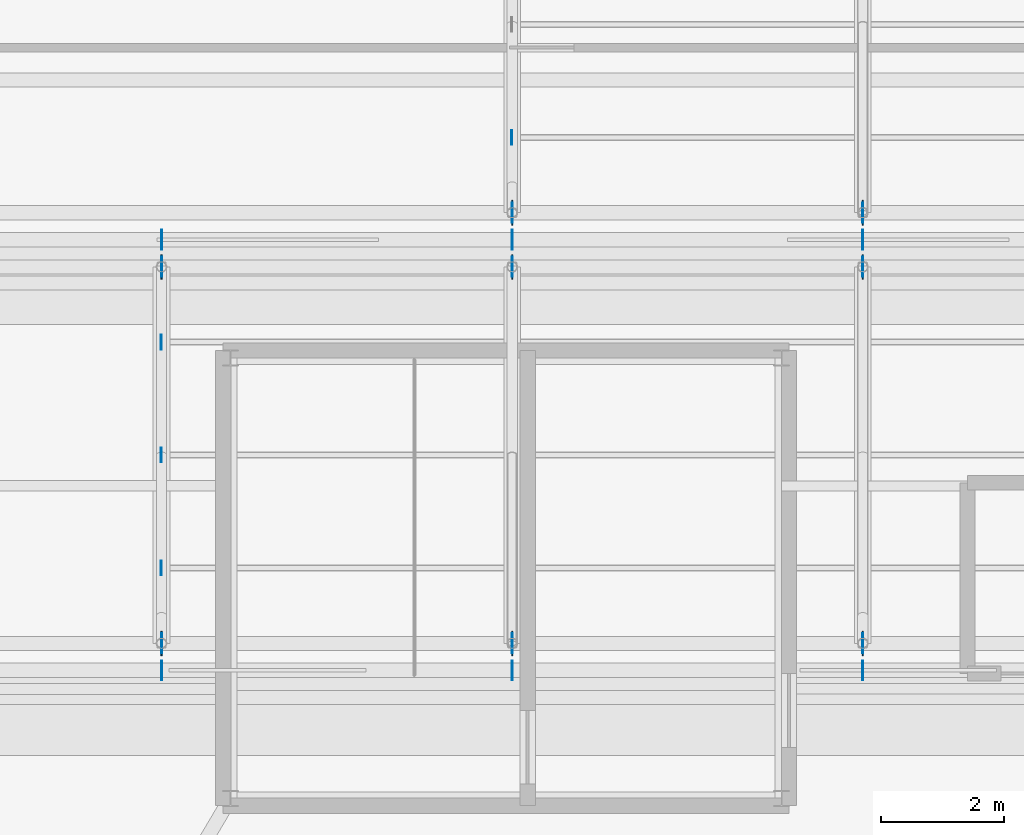
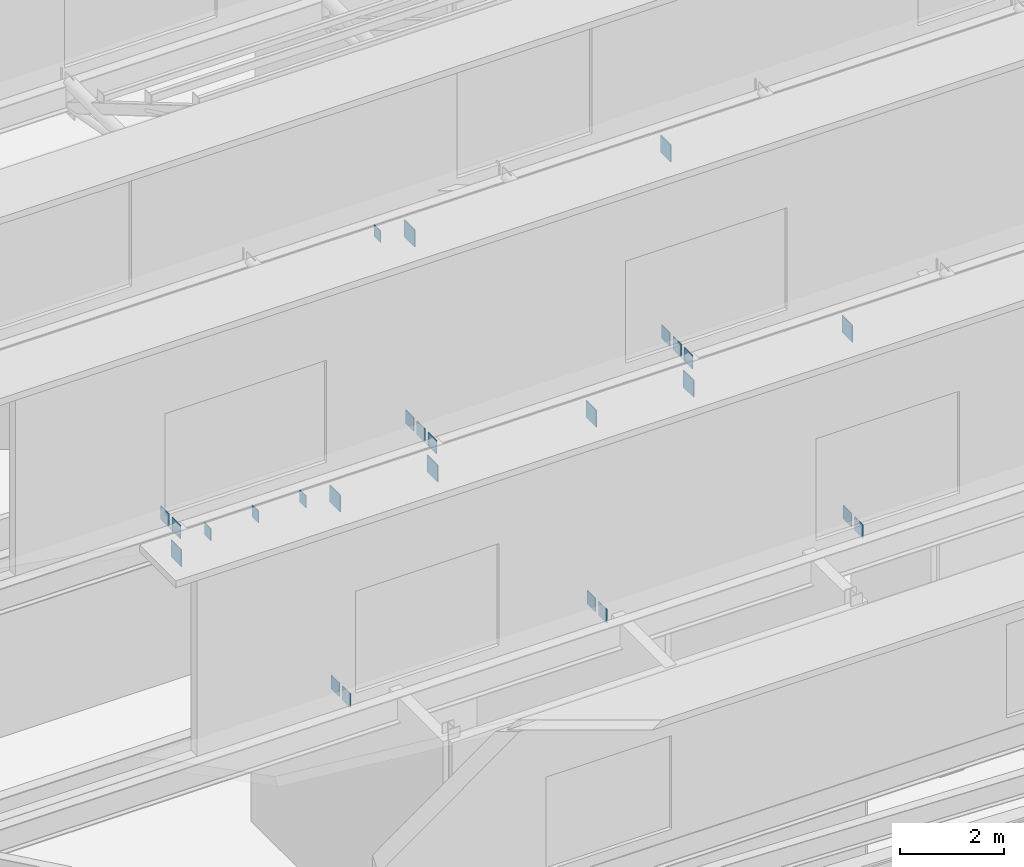
# One storey, part 45 of 55: 26 plates.
"""IFC4 building model written with IfcOpenShell, lengths in metres."""

import ifcopenshell
import ifcopenshell.guid

model = None  # the IFC model being written
_history = None  # IfcOwnerHistory: only IFC2X3 demands one
_inside = {}  # id of a spatial element -> (the spatial element, [elements in it])
_under = {}  # id of a project, library or spatial element -> (it, [spatial elements below it])
_declared = {}  # id of a project -> (the project, [libraries it declares])
_typed = {}  # id of a type object -> (the type object, [elements of that type])
_made_of = {}  # id of a material, layer set ... -> (it, [elements and type objects made of it])


def new_model(schema):
    """Start an empty IFC model of exactly this schema.

    Asked for "IFC4X3", IfcOpenShell would pick the latest addendum, in which some entities
    have other attributes; the version numbers below select the first issue.
    IFC2X3 requires an IfcOwnerHistory on every rooted entity: one is made here for all.
    """
    global model, _history
    if schema == "IFC4X3":
        model = ifcopenshell.file(schema_version=(4, 3, 0, 0))
    else:
        model = ifcopenshell.file(schema=schema)
    _inside.clear()
    _under.clear()
    _declared.clear()
    _typed.clear()
    _made_of.clear()
    _history = None
    if model.schema == "IFC2X3":
        org = make("IfcOrganization", Name="unknown")
        user = make(
            "IfcPersonAndOrganization",
            ThePerson=make("IfcPerson", FamilyName="unknown"),
            TheOrganization=org,
        )
        app = make(
            "IfcApplication",
            ApplicationDeveloper=org,
            Version="unknown",
            ApplicationFullName="unknown",
            ApplicationIdentifier="unknown",
        )
        _history = make(
            "IfcOwnerHistory",
            OwningUser=user,
            OwningApplication=app,
            ChangeAction="ADDED",
            CreationDate=0,
        )
    return model


def make(cls, **values):
    """One entity of the class cls with the attributes given. An attribute that is None is left unset."""
    return model.create_entity(
        cls, **{name: value for name, value in values.items() if value is not None}
    )


def rooted(cls, **values):
    """An entity with a GlobalId (a new one), such as an element, a storey or a relation."""
    return make(cls, GlobalId=ifcopenshell.guid.new(), OwnerHistory=_history, **values)


def si_unit(unit_type, name, prefix=None):
    """IfcSIUnit, for example si_unit("LENGTHUNIT", "METRE", prefix="MILLI")."""
    return make("IfcSIUnit", UnitType=unit_type, Prefix=prefix, Name=name)


def assignment(units):
    """IfcUnitAssignment: the units of a project."""
    return None if units is None else make("IfcUnitAssignment", Units=units)


def point(xyz):
    """IfcCartesianPoint."""
    return None if xyz is None else make("IfcCartesianPoint", Coordinates=xyz)


def direction(xyz):
    """IfcDirection."""
    return None if xyz is None else make("IfcDirection", DirectionRatios=xyz)


def frame(location, z_axis=None, x_axis=None):
    """IfcAxis2Placement3D, a coordinate frame: its origin and axes. An axis left out is left unset."""
    return make(
        "IfcAxis2Placement3D",
        Location=point(location),
        Axis=direction(z_axis),
        RefDirection=direction(x_axis),
    )


def frame_2d(location, x_axis=None):
    """IfcAxis2Placement2D, a coordinate frame in the plane: its origin and x axis."""
    return make(
        "IfcAxis2Placement2D", Location=point(location), RefDirection=direction(x_axis)
    )


def origin():
    """The frame at (0, 0, 0) with its axes left unset."""
    return frame((0.0, 0.0, 0.0))


def origin_2d():
    """The frame at (0, 0) in the plane with its x axis left unset."""
    return frame_2d((0.0, 0.0))


def place(relative_to, where):
    """IfcLocalPlacement: puts the frame where relative to a parent placement (None: the world)."""
    return make(
        "IfcLocalPlacement", PlacementRelTo=relative_to, RelativePlacement=where
    )


def context(
    kind, dimensions, precision=None, world=None, true_north=None, identifier=None
):
    """IfcGeometricRepresentationContext, for example the 3D "Model" context."""
    return make(
        "IfcGeometricRepresentationContext",
        ContextIdentifier=identifier,
        ContextType=kind,
        CoordinateSpaceDimension=dimensions,
        Precision=precision,
        WorldCoordinateSystem=world,
        TrueNorth=true_north,
    )


def subcontext(parent, identifier, kind, view, scale=None):
    """IfcGeometricRepresentationSubContext, for example "Body" below "Model"."""
    return make(
        "IfcGeometricRepresentationSubContext",
        ContextIdentifier=identifier,
        ContextType=kind,
        ParentContext=parent,
        TargetScale=scale,
        TargetView=view,
    )


def project(units=None, contexts=None):
    """IfcProject with its units and contexts."""
    return rooted(
        "IfcProject",
        Name="project",
        RepresentationContexts=contexts,
        UnitsInContext=assignment(units),
    )


def spatial(cls, under=None, at=None, **own):
    """A site, building, storey or space (cls), placed at a placement, below another one or the project."""
    s = rooted(cls, ObjectPlacement=at, **own)
    if under is not None:
        _under.setdefault(under.id(), (under, []))[1].append(s)
    return s


def profile(cls, at=None, kind="AREA", **sizes):
    """A parametric profile (cls). Its sizes go by their IFC names, for example OverallWidth=200.0."""
    return make(cls, ProfileType=kind, Position=at, **sizes)


def rectangle(**sizes):
    """IfcRectangleProfileDef."""
    return profile("IfcRectangleProfileDef", **sizes)


def extrude(swept, where, along, depth):
    """IfcExtrudedAreaSolid: the profile swept, set in the frame where, extruded along a direction by depth."""
    return make(
        "IfcExtrudedAreaSolid",
        SweptArea=swept,
        Position=where,
        ExtrudedDirection=direction(along),
        Depth=depth,
    )


def shape(context_of_items, identifier, shape_type, items):
    """IfcShapeRepresentation: the items that make up one representation, for example the "Body"."""
    return make(
        "IfcShapeRepresentation",
        ContextOfItems=context_of_items,
        RepresentationIdentifier=identifier,
        RepresentationType=shape_type,
        Items=items,
    )


def material(Name=None, Category=None):
    """IfcMaterial."""
    return make("IfcMaterial", Name=Name, Category=Category)


def layer(
    of_material, thickness, ventilated=None, Name=None, Category=None, Priority=None
):
    """IfcMaterialLayer: one layer of a wall or slab, of a material (None: an air gap)."""
    return make(
        "IfcMaterialLayer",
        Material=of_material,
        LayerThickness=thickness,
        IsVentilated=ventilated,
        Name=Name,
        Category=Category,
        Priority=Priority,
    )


def layer_set(layers, Name=None):
    """IfcMaterialLayerSet."""
    return make("IfcMaterialLayerSet", MaterialLayers=layers, LayerSetName=Name)


def made_of(thing, what):
    """Note that an element or type object is made of a material, layer set ...; save() writes the relation."""
    if what is not None:
        _made_of.setdefault(what.id(), (what, []))[1].append(thing)
    return thing


def type_object(cls, material=None, **own):
    """A type object (cls), such as IfcWallType, which elements share."""
    return made_of(rooted(cls, **own), material)


def element(
    cls,
    number,
    at=None,
    inside=None,
    cuts=None,
    type_object=None,
    material=None,
    context=None,
    identifier="Body",
    shape_type=None,
    held_by="IfcProductDefinitionShape",
    body=None,
    shapes=None,
    **own,
):
    """One element of the class cls, such as IfcWall. Its Tag is "e" and its number.

    at: its placement. inside: the storey or other place that contains it. cuts: it is an
    opening in that element (IfcRelVoidsElement). A single representation is given by context,
    identifier, shape_type and body (its items); several are given by shapes. held_by: the class
    of the entity that holds the representations. save() writes the other relations.
    """
    e = rooted(cls, Tag="e%d" % number, ObjectPlacement=at, **own)
    if body is not None:
        shapes = [shape(context, identifier, shape_type, body)]
    if shapes is not None:
        e.Representation = make(held_by, Representations=shapes)
    if inside is not None:
        _inside.setdefault(inside.id(), (inside, []))[1].append(e)
    if cuts is not None:
        rooted(
            "IfcRelVoidsElement", RelatingBuildingElement=cuts, RelatedOpeningElement=e
        )
    if type_object is not None:
        _typed.setdefault(type_object.id(), (type_object, []))[1].append(e)
    return made_of(e, material)


def aggregate(whole, parts):
    """IfcRelAggregates: a whole, such as a stair, and the parts it consists of."""
    return rooted("IfcRelAggregates", RelatingObject=whole, RelatedObjects=parts)


def save(model, path):
    """Write the relations noted so far, then the file.

    IfcRelAggregates (storeys below a building ...), IfcRelContainedInSpatialStructure (elements
    in a storey), IfcRelDefinesByType, IfcRelAssociatesMaterial and IfcRelDeclares: one each for
    every whole, place, type object, material and project.
    """
    for whole, parts in _under.values():
        aggregate(whole, parts)
    for where, things in _inside.values():
        rooted(
            "IfcRelContainedInSpatialStructure",
            RelatedElements=things,
            RelatingStructure=where,
        )
    for kind, things in _typed.values():
        rooted("IfcRelDefinesByType", RelatedObjects=things, RelatingType=kind)
    for what, things in _made_of.values():
        rooted("IfcRelAssociatesMaterial", RelatedObjects=things, RelatingMaterial=what)
    for by, libraries in _declared.values():
        rooted("IfcRelDeclares", RelatingContext=by, RelatedDefinitions=libraries)
    model.write(path)


model = new_model("IFC4")

# Units and contexts
model_context = context("Model", 3, precision=1e-05, world=origin(), true_north=direction((0.0, 1.0)))
body_context = subcontext(model_context, "Body", "Model", "MODEL_VIEW")
ifc_project = project(units=[si_unit("LENGTHUNIT", "METRE"), si_unit("AREAUNIT", "SQUARE_METRE"), si_unit("VOLUMEUNIT", "CUBIC_METRE"), si_unit("PLANEANGLEUNIT", "RADIAN"), si_unit("MASSUNIT", "GRAM", prefix="KILO")], contexts=[model_context])

# Site, building, storey
site_placement = place(None, origin())
site = spatial("IfcSite", under=ifc_project, at=site_placement, CompositionType="ELEMENT")
building_placement = place(site_placement, origin())
building = spatial("IfcBuilding", under=site, at=building_placement, Name="Tameran Prism Museum", CompositionType="ELEMENT")
storey_placement = place(building_placement, frame((0.0, 0.0, 28.800048828125)))
storey = spatial("IfcBuildingStorey", under=building, at=storey_placement, Name="L05", CompositionType="ELEMENT", Elevation=28.800048828125)

# Plates
ifc_material_1 = material(Name="Steel Grade 350 (350 MPa)", Category="steel")
ifc_layer_1 = layer(ifc_material_1, 0.01611328125)
ifc_layer_set_1 = layer_set([ifc_layer_1])
plate_type_1 = type_object("IfcPlateType", Name="PL-CAP-16", PredefinedType="USERDEFINED", material=ifc_layer_set_1)
for number, where, z_axis, x_axis, name in (
    (1, (101.89208984375, 81.1640625, 9.89892578125), (0.0, 0.0, 1.0), (1.0, 0.0, 0.0), "Purlin End Cap Plate PR-007 W"),
    (2, (101.89208984375, 83.0, 8.43115234375), (0.0, 0.0, 1.0), (1.0, 0.0, 0.0), "Purlin End Cap Plate PR-008 W"),
    (3, (101.89208984375, 84.8359375, 6.89892578125), (0.0, 0.0, 1.0), (1.0, 0.0, 0.0), "Purlin End Cap Plate PR-009 W"),
):
    element("IfcPlate", number, at=place(storey_placement, frame(where, z_axis=z_axis, x_axis=x_axis)), inside=storey, type_object=plate_type_1, Name=name, ObjectType="GUSSET PLATE", PredefinedType="USERDEFINED", context=body_context, shape_type="SweptSolid", body=[
        extrude(rectangle(XDim=0.01611328125, YDim=0.239990234375, at=origin_2d()), origin(), (0.0, 0.0, 1.0), 0.280029296875),
    ])
for number, where, z_axis, x_axis, name in (
    (4, (101.89990234375, 79.93994140625, 6.22607421875), (0.0, 0.0, 1.0), (1.0, 0.0, 0.0), "Truss Node Gusset Plate GP-0027"),
    (5, (101.89990234375, 86.06005859375, 6.22607421875), (0.0, 0.0, 1.0), (1.0, 0.0, 0.0), "Truss Node Gusset Plate GP-0028"),
    (6, (101.89990234375, 79.5, 6.22607421875), (0.0, 0.0, 1.0), (1.0, 0.0, 0.0), "Truss Node Gusset Plate GP-0029"),
    (7, (101.89990234375, 86.5, 6.22607421875), (0.0, 0.0, 1.0), (1.0, 0.0, 0.0), "Truss Node Gusset Plate GP-0030"),
    (8, (107.60009765625, 79.93994140625, 6.22607421875), (0.0, 0.0, 1.0), (1.0, 0.0, 0.0), "Truss Node Gusset Plate GP-0033"),
    (9, (107.60009765625, 86.06005859375, 6.22607421875), (0.0, 0.0, 1.0), (1.0, 0.0, 0.0), "Truss Node Gusset Plate GP-0034"),
    (10, (107.60009765625, 79.5, 6.22607421875), (0.0, 0.0, 1.0), (1.0, 0.0, 0.0), "Truss Node Gusset Plate GP-0035"),
    (11, (107.60009765625, 86.5, 6.22607421875), (0.0, 0.0, 1.0), (1.0, 0.0, 0.0), "Truss Node Gusset Plate GP-0036"),
    (12, (113.300048828125, 79.93994140625, 6.22607421875), (0.0, 0.0, 1.0), (1.0, 0.0, 0.0), "Truss Node Gusset Plate GP-0039"),
    (13, (113.300048828125, 86.06005859375, 6.22607421875), (0.0, 0.0, 1.0), (1.0, 0.0, 0.0), "Truss Node Gusset Plate GP-0040"),
    (14, (113.300048828125, 79.5, 6.22607421875), (0.0, 0.0, 1.0), (1.0, 0.0, 0.0), "Truss Node Gusset Plate GP-0041"),
    (15, (113.300048828125, 86.5, 6.22607421875), (0.0, 0.0, 1.0), (1.0, 0.0, 0.0), "Truss Node Gusset Plate GP-0042"),
):
    element("IfcPlate", number, at=place(storey_placement, frame(where, z_axis=z_axis, x_axis=x_axis)), inside=storey, type_object=plate_type_1, Name=name, ObjectType="GUSSET PLATE", PredefinedType="USERDEFINED", context=body_context, shape_type="SweptSolid", body=[
        extrude(rectangle(XDim=0.01611328125, YDim=0.320068359375, at=origin_2d()), origin(), (0.0, 0.0, 1.0), 0.320068359375),
    ])
plate_placement = place(storey_placement, frame((107.592041015625, 88.1640625, 9.89892578125), z_axis=(0.0, 0.0, 1.0), x_axis=(1.0, 0.0, 0.0)))
element("IfcPlate", 16, at=plate_placement, inside=storey, type_object=plate_type_1, Name="Purlin End Cap Plate PR-013 W", ObjectType="GUSSET PLATE", PredefinedType="USERDEFINED", context=body_context, shape_type="SweptSolid", body=[
    extrude(rectangle(XDim=0.01611328125, YDim=0.239990234375, at=origin_2d()), origin(), (0.0, 0.0, 1.0), 0.280029296875),
])
for number, where, z_axis, x_axis, name in (
    (17, (107.60009765625, 86.93994140625, 6.22607421875), (0.0, 0.0, 1.0), (1.0, 0.0, 0.0), "Truss Node Gusset Plate GP-0065"),
    (18, (113.300048828125, 86.93994140625, 6.22607421875), (0.0, 0.0, 1.0), (1.0, 0.0, 0.0), "Truss Node Gusset Plate GP-0070"),
):
    element("IfcPlate", number, at=place(storey_placement, frame(where, z_axis=z_axis, x_axis=x_axis)), inside=storey, type_object=plate_type_1, Name=name, ObjectType="GUSSET PLATE", PredefinedType="USERDEFINED", context=body_context, shape_type="SweptSolid", body=[
        extrude(rectangle(XDim=0.01611328125, YDim=0.320068359375, at=origin_2d()), origin(), (0.0, 0.0, 1.0), 0.320068359375),
    ])
ifc_material_2 = material(Name="Steel Grade 350 (350 MPa)", Category="steel")
ifc_layer_2 = layer(ifc_material_2, 0.02001953125)
ifc_layer_set_2 = layer_set([ifc_layer_2])
plate_type_2 = type_object("IfcPlateType", Name="PL-GUS-20", PredefinedType="USERDEFINED", material=ifc_layer_set_2)
for number, where, z_axis, x_axis, name in (
    (19, (101.89990234375, 79.93994140625, 10.587890625), (0.0, 0.0, 1.0), (1.0, 0.0, 0.0), "Truss Node Gusset Plate GP-0025"),
    (20, (101.89990234375, 86.06005859375, 5.587890625), (0.0, 0.0, 1.0), (1.0, 0.0, 0.0), "Truss Node Gusset Plate GP-0026"),
    (21, (107.60009765625, 79.93994140625, 10.587890625), (0.0, 0.0, 1.0), (1.0, 0.0, 0.0), "Truss Node Gusset Plate GP-0031"),
    (22, (107.60009765625, 86.06005859375, 5.587890625), (0.0, 0.0, 1.0), (1.0, 0.0, 0.0), "Truss Node Gusset Plate GP-0032"),
    (23, (113.300048828125, 79.93994140625, 10.587890625), (0.0, 0.0, 1.0), (1.0, 0.0, 0.0), "Truss Node Gusset Plate GP-0037"),
    (24, (113.300048828125, 86.06005859375, 5.587890625), (0.0, 0.0, 1.0), (1.0, 0.0, 0.0), "Truss Node Gusset Plate GP-0038"),
    (25, (107.60009765625, 86.93994140625, 10.587890625), (0.0, 0.0, 1.0), (1.0, 0.0, 0.0), "Truss Node Gusset Plate GP-0063"),
    (26, (113.300048828125, 86.93994140625, 10.587890625), (0.0, 0.0, 1.0), (1.0, 0.0, 0.0), "Truss Node Gusset Plate GP-0068"),
):
    element("IfcPlate", number, at=place(storey_placement, frame(where, z_axis=z_axis, x_axis=x_axis)), inside=storey, type_object=plate_type_2, Name=name, ObjectType="GUSSET PLATE", PredefinedType="USERDEFINED", context=body_context, shape_type="SweptSolid", body=[
        extrude(rectangle(XDim=0.02001953125, YDim=0.39990234375, at=origin_2d()), origin(), (0.0, 0.0, 1.0), 0.39990234375),
    ])

save(model, "model.ifc")
